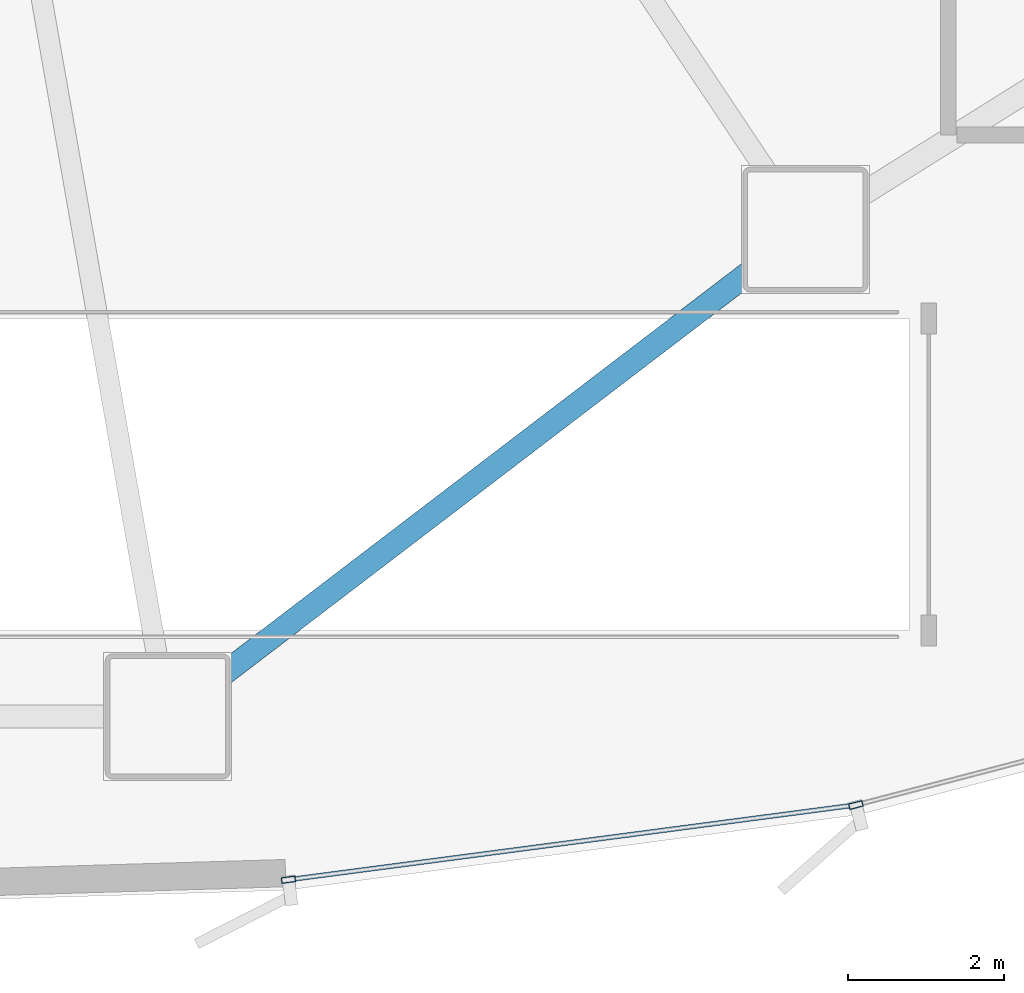
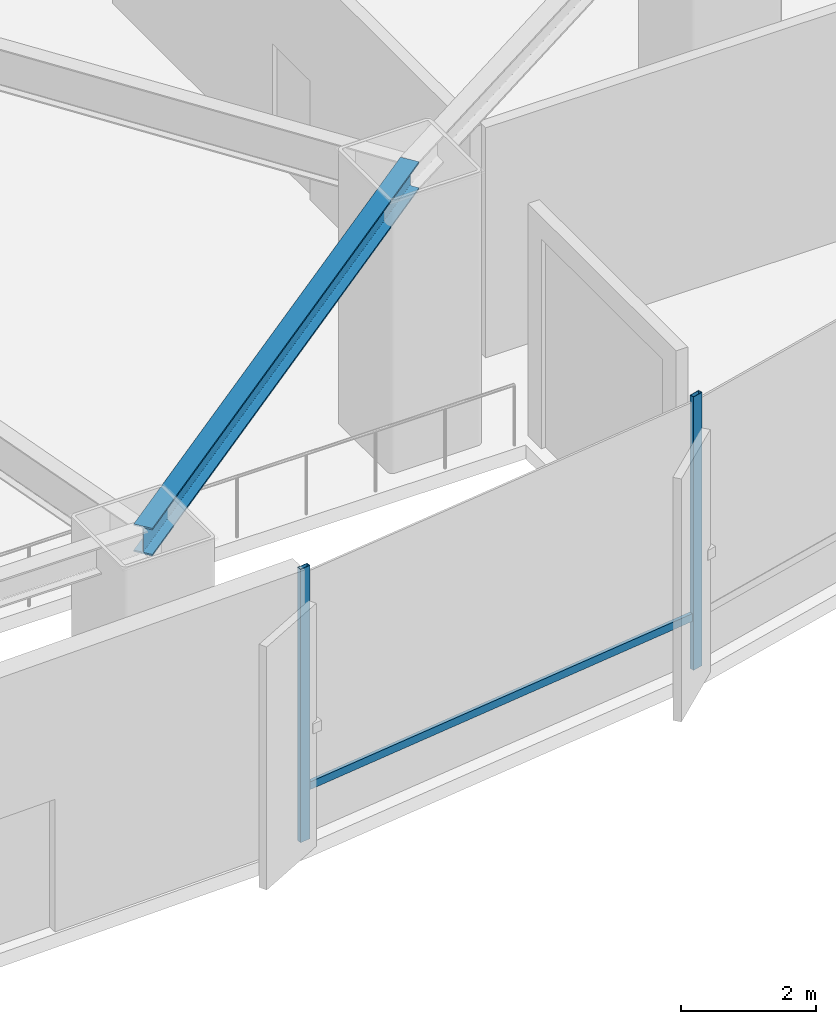
# One storey, part 5 of 35: 3 members, 1 beam, 1 element without a shape of its own.
"""IFC4 building model written with IfcOpenShell, lengths in metres."""

from ifc_helpers import new_model, si_unit, direction, frame, origin, origin_2d, place, context, subcontext, project, spatial, hollow_rectangle, i_section, extrude, source, transform, mapped, material, layer, layer_set, material_profile, profile_set, type_object, element, aggregate, save


model = new_model("IFC4")

# Units and contexts
model_context = context("Model", 3, precision=1e-05, world=origin(), true_north=direction((0.0, 1.0)))
body_context = subcontext(model_context, "Body", "Model", "MODEL_VIEW")
ifc_project = project(units=[si_unit("LENGTHUNIT", "METRE"), si_unit("AREAUNIT", "SQUARE_METRE"), si_unit("VOLUMEUNIT", "CUBIC_METRE"), si_unit("PLANEANGLEUNIT", "RADIAN"), si_unit("MASSUNIT", "GRAM", prefix="KILO"), si_unit("THERMODYNAMICTEMPERATUREUNIT", "KELVIN")], contexts=[model_context])

# Site, building, storey
site_placement = place(None, origin())
site = spatial("IfcSite", under=ifc_project, at=site_placement, CompositionType="ELEMENT")
building_placement = place(site_placement, origin())
building = spatial("IfcBuilding", under=site, at=building_placement, Name="Kethvar Cultural Tower", CompositionType="ELEMENT")
storey_placement = place(building_placement, origin())
storey = spatial("IfcBuildingStorey", under=building, at=storey_placement, Name="L00", CompositionType="ELEMENT", Elevation=0.0)

# Beam
ifc_material_1 = material(Name="Steel S355J2", Category="steel")
ifc_material_profile_1 = material_profile(ifc_material_1, i_section(OverallWidth=0.300048828125, OverallDepth=0.5, WebThickness=0.014404296875, FlangeThickness=0.028076171875, FilletRadius=0.027099609375, at=origin_2d()), Name="Steel S355J2 — HEB500")
ifc_profile_set_1 = profile_set([ifc_material_profile_1], Name="Steel S355J2 — HEB500")
beam_type = type_object("IfcBeamType", Name="BM-SP500", PredefinedType="SPANDREL", material=ifc_profile_set_1)
shared_shape_1 = source(origin(), body_context, "Body", "SweptSolid", [
    extrude(i_section(OverallWidth=0.300048828125, OverallDepth=0.5, WebThickness=0.014404296875, FlangeThickness=0.028076171875, FilletRadius=0.027099609375, at=origin_2d()), origin(), (0.0, 0.0, 1.0), 10.279052734375),
])
beam_placement = place(storey_placement, frame((51.199951171875, 2.75, 4.697998046875), z_axis=(0.794869246576, 0.606780751876, 0.0), x_axis=(-0.606780751876, 0.794869246576, 0.0)))
element("IfcBeam", 1, at=beam_placement, inside=storey, type_object=beam_type, Name="L00 Podium Ring Beam 13", PredefinedType="SPANDREL", context=body_context, shape_type="MappedRepresentation", body=[
    mapped(shared_shape_1, transform((0.0, 0.0, 0.0), scale=1.0)),
])

# Curtain wall, members
ifc_material_2 = material(Name="Aluminium 6063-T6", Category="aluminium")
ifc_layer = layer(ifc_material_2, 0.179931640625, Name="Aluminium 6063-T6", Category="aluminium")
ifc_layer_set = layer_set([ifc_layer], Name="Aluminium 6063-T6 (180 mm)")
curtain_wall_type = type_object("IfcCurtainWallType", Name="CW-SYS-01-POD", PredefinedType="NOTDEFINED", material=ifc_layer_set)
curtain_wall_placement = place(storey_placement, origin())
curtain_wall = element("IfcCurtainWall", 2, at=curtain_wall_placement, inside=storey, type_object=curtain_wall_type, Name="L00 Curtain Wall Run 04", PredefinedType="NOTDEFINED")
ifc_material_profile_2 = material_profile(ifc_material_2, hollow_rectangle(XDim=0.074951171875, YDim=0.179931640625, WallThickness=0.006103515625, at=origin_2d()), Name="Aluminium 6063-T6 — RHS180x75x6")
ifc_profile_set_2 = profile_set([ifc_material_profile_2], Name="Aluminium 6063-T6 — RHS180x75x6")
member_type_1 = type_object("IfcMemberType", Name="CW-SYS-01-POD-MUL", PredefinedType="MULLION", material=ifc_profile_set_2)
shared_shape_2 = source(origin(), body_context, "Body", "SweptSolid", [
    extrude(hollow_rectangle(XDim=0.074951171875, YDim=0.179931640625, WallThickness=0.006103515625, at=origin_2d()), origin(), (0.0, 0.0, 1.0), 4.949951171875),
])
member_1_placement = place(storey_placement, frame((52.747314453125, 0.658447265625, 0.0), z_axis=(0.0, 0.0, 1.0), x_axis=(-0.130647319086, 0.991428907192, 0.0)))
member_1 = element("IfcMember", 3, at=member_1_placement, type_object=member_type_1, Name="CW-L00-R04 Mullion 1", PredefinedType="MULLION", context=body_context, shape_type="MappedRepresentation", body=[
    mapped(shared_shape_2, transform((0.0, 0.0, 0.0), scale=1.0)),
])
member_2_placement = place(storey_placement, frame((60.01708984375, 1.615234375, 0.0), z_axis=(0.0, 0.0, 1.0), x_axis=(-0.253031946887, 0.967457923558, 0.0)))
member_2 = element("IfcMember", 4, at=member_2_placement, type_object=member_type_1, Name="CW-L00-R04 Mullion 2", PredefinedType="MULLION", context=body_context, shape_type="MappedRepresentation", body=[
    mapped(shared_shape_2, transform((0.0, 0.0, 0.0), scale=1.0)),
])
ifc_material_profile_3 = material_profile(ifc_material_2, hollow_rectangle(XDim=0.06005859375, YDim=0.139892578125, WallThickness=0.0048828125, at=origin_2d()), Name="Aluminium 6063-T6 — RHS140x60x5")
ifc_profile_set_3 = profile_set([ifc_material_profile_3], Name="Aluminium 6063-T6 — RHS140x60x5")
member_type_2 = type_object("IfcMemberType", Name="CW-SYS-01-POD-TRN", PredefinedType="USERDEFINED", material=ifc_profile_set_3)
shared_shape_3 = source(origin(), body_context, "Body", "SweptSolid", [
    extrude(hollow_rectangle(XDim=0.06005859375, YDim=0.139892578125, WallThickness=0.0048828125, at=origin_2d()), origin(), (0.0, 0.0, 1.0), 7.28955078125),
])
member_3_placement = place(storey_placement, frame((52.75244140625, 0.658935546875, 0.949951171875), z_axis=(0.991428284846, 0.130652041726, 0.0), x_axis=(-0.130652041726, 0.991428284846, 0.0)))
member_3 = element("IfcMember", 5, at=member_3_placement, type_object=member_type_2, Name="CW-L00-R04 Transom 1", ObjectType="TRANSOM", PredefinedType="USERDEFINED", context=body_context, shape_type="MappedRepresentation", body=[
    mapped(shared_shape_3, transform((0.0, 0.0, 0.0), scale=1.0)),
])
aggregate(curtain_wall, [member_1, member_2, member_3])

save(model, "model.ifc")
